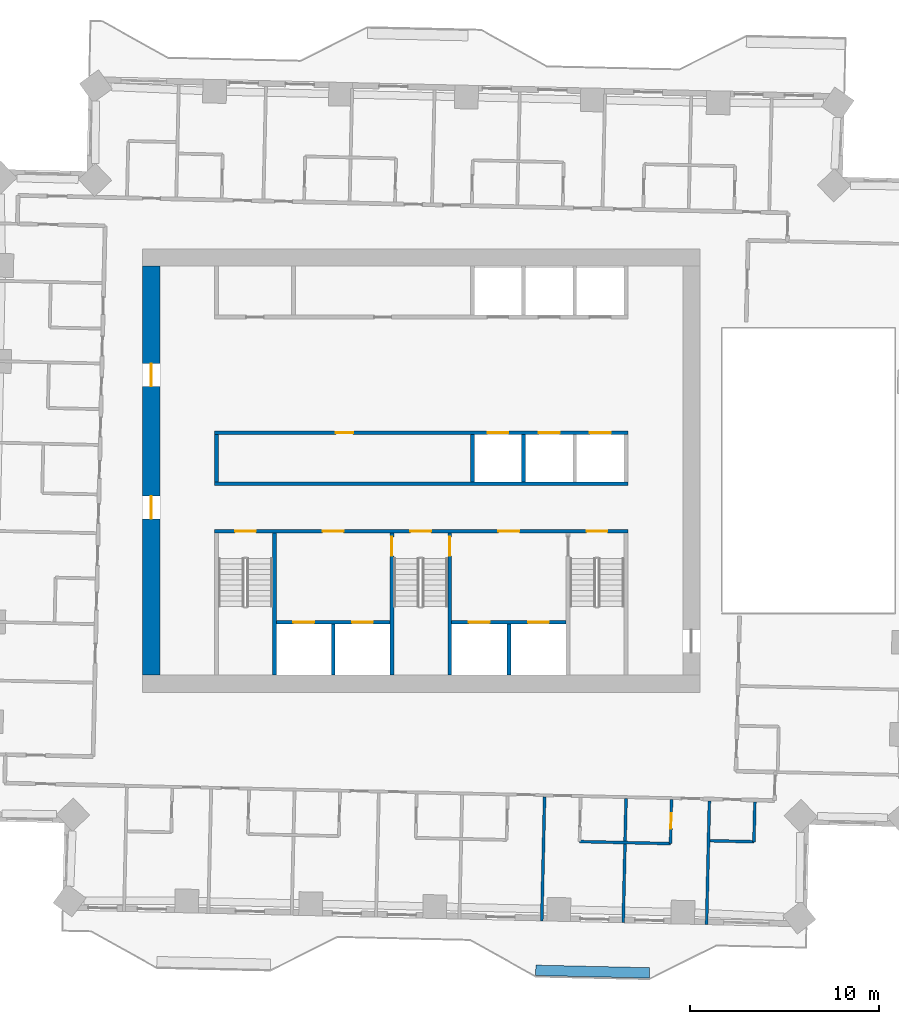
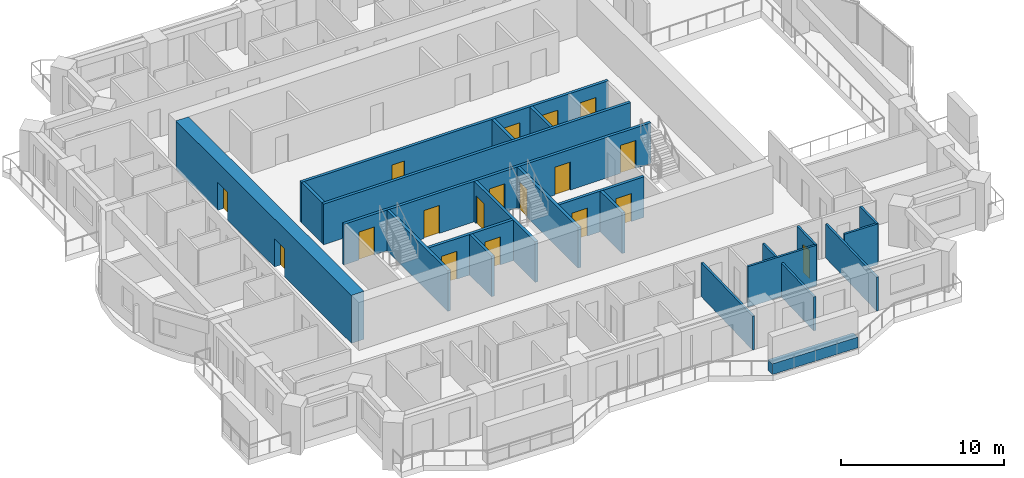
# One storey, part 6 of 14: 22 walls, 18 doors, 18 openings.
"""IFC4 building model written with IfcOpenShell, lengths in metres."""

import ifcopenshell
import ifcopenshell.guid

model = None  # the IFC model being written
_history = None  # IfcOwnerHistory: only IFC2X3 demands one
_inside = {}  # id of a spatial element -> (the spatial element, [elements in it])
_under = {}  # id of a project, library or spatial element -> (it, [spatial elements below it])
_declared = {}  # id of a project -> (the project, [libraries it declares])
_typed = {}  # id of a type object -> (the type object, [elements of that type])
_made_of = {}  # id of a material, layer set ... -> (it, [elements and type objects made of it])


def new_model(schema):
    """Start an empty IFC model of exactly this schema.

    Asked for "IFC4X3", IfcOpenShell would pick the latest addendum, in which some entities
    have other attributes; the version numbers below select the first issue.
    IFC2X3 requires an IfcOwnerHistory on every rooted entity: one is made here for all.
    """
    global model, _history
    if schema == "IFC4X3":
        model = ifcopenshell.file(schema_version=(4, 3, 0, 0))
    else:
        model = ifcopenshell.file(schema=schema)
    _inside.clear()
    _under.clear()
    _declared.clear()
    _typed.clear()
    _made_of.clear()
    _history = None
    if model.schema == "IFC2X3":
        org = make("IfcOrganization", Name="unknown")
        user = make(
            "IfcPersonAndOrganization",
            ThePerson=make("IfcPerson", FamilyName="unknown"),
            TheOrganization=org,
        )
        app = make(
            "IfcApplication",
            ApplicationDeveloper=org,
            Version="unknown",
            ApplicationFullName="unknown",
            ApplicationIdentifier="unknown",
        )
        _history = make(
            "IfcOwnerHistory",
            OwningUser=user,
            OwningApplication=app,
            ChangeAction="ADDED",
            CreationDate=0,
        )
    return model


def make(cls, **values):
    """One entity of the class cls with the attributes given. An attribute that is None is left unset."""
    return model.create_entity(
        cls, **{name: value for name, value in values.items() if value is not None}
    )


def rooted(cls, **values):
    """An entity with a GlobalId (a new one), such as an element, a storey or a relation."""
    return make(cls, GlobalId=ifcopenshell.guid.new(), OwnerHistory=_history, **values)


def si_unit(unit_type, name, prefix=None):
    """IfcSIUnit, for example si_unit("LENGTHUNIT", "METRE", prefix="MILLI")."""
    return make("IfcSIUnit", UnitType=unit_type, Prefix=prefix, Name=name)


def assignment(units):
    """IfcUnitAssignment: the units of a project."""
    return None if units is None else make("IfcUnitAssignment", Units=units)


def point(xyz):
    """IfcCartesianPoint."""
    return None if xyz is None else make("IfcCartesianPoint", Coordinates=xyz)


def direction(xyz):
    """IfcDirection."""
    return None if xyz is None else make("IfcDirection", DirectionRatios=xyz)


def frame(location, z_axis=None, x_axis=None):
    """IfcAxis2Placement3D, a coordinate frame: its origin and axes. An axis left out is left unset."""
    return make(
        "IfcAxis2Placement3D",
        Location=point(location),
        Axis=direction(z_axis),
        RefDirection=direction(x_axis),
    )


def frame_2d(location, x_axis=None):
    """IfcAxis2Placement2D, a coordinate frame in the plane: its origin and x axis."""
    return make(
        "IfcAxis2Placement2D", Location=point(location), RefDirection=direction(x_axis)
    )


def origin():
    """The frame at (0, 0, 0) with its axes left unset."""
    return frame((0.0, 0.0, 0.0))


def place(relative_to, where):
    """IfcLocalPlacement: puts the frame where relative to a parent placement (None: the world)."""
    return make(
        "IfcLocalPlacement", PlacementRelTo=relative_to, RelativePlacement=where
    )


def context(
    kind, dimensions, precision=None, world=None, true_north=None, identifier=None
):
    """IfcGeometricRepresentationContext, for example the 3D "Model" context."""
    return make(
        "IfcGeometricRepresentationContext",
        ContextIdentifier=identifier,
        ContextType=kind,
        CoordinateSpaceDimension=dimensions,
        Precision=precision,
        WorldCoordinateSystem=world,
        TrueNorth=true_north,
    )


def subcontext(parent, identifier, kind, view, scale=None):
    """IfcGeometricRepresentationSubContext, for example "Body" below "Model"."""
    return make(
        "IfcGeometricRepresentationSubContext",
        ContextIdentifier=identifier,
        ContextType=kind,
        ParentContext=parent,
        TargetScale=scale,
        TargetView=view,
    )


def project(units=None, contexts=None):
    """IfcProject with its units and contexts."""
    return rooted(
        "IfcProject",
        Name="project",
        RepresentationContexts=contexts,
        UnitsInContext=assignment(units),
    )


def spatial(cls, under=None, at=None, **own):
    """A site, building, storey or space (cls), placed at a placement, below another one or the project."""
    s = rooted(cls, ObjectPlacement=at, **own)
    if under is not None:
        _under.setdefault(under.id(), (under, []))[1].append(s)
    return s


def profile(cls, at=None, kind="AREA", **sizes):
    """A parametric profile (cls). Its sizes go by their IFC names, for example OverallWidth=200.0."""
    return make(cls, ProfileType=kind, Position=at, **sizes)


def rectangle(**sizes):
    """IfcRectangleProfileDef."""
    return profile("IfcRectangleProfileDef", **sizes)


def extrude(swept, where, along, depth):
    """IfcExtrudedAreaSolid: the profile swept, set in the frame where, extruded along a direction by depth."""
    return make(
        "IfcExtrudedAreaSolid",
        SweptArea=swept,
        Position=where,
        ExtrudedDirection=direction(along),
        Depth=depth,
    )


def shape(context_of_items, identifier, shape_type, items):
    """IfcShapeRepresentation: the items that make up one representation, for example the "Body"."""
    return make(
        "IfcShapeRepresentation",
        ContextOfItems=context_of_items,
        RepresentationIdentifier=identifier,
        RepresentationType=shape_type,
        Items=items,
    )


def material(Name=None, Category=None):
    """IfcMaterial."""
    return make("IfcMaterial", Name=Name, Category=Category)


def layer(
    of_material, thickness, ventilated=None, Name=None, Category=None, Priority=None
):
    """IfcMaterialLayer: one layer of a wall or slab, of a material (None: an air gap)."""
    return make(
        "IfcMaterialLayer",
        Material=of_material,
        LayerThickness=thickness,
        IsVentilated=ventilated,
        Name=Name,
        Category=Category,
        Priority=Priority,
    )


def layer_set(layers, Name=None):
    """IfcMaterialLayerSet."""
    return make("IfcMaterialLayerSet", MaterialLayers=layers, LayerSetName=Name)


def made_of(thing, what):
    """Note that an element or type object is made of a material, layer set ...; save() writes the relation."""
    if what is not None:
        _made_of.setdefault(what.id(), (what, []))[1].append(thing)
    return thing


def type_object(cls, material=None, **own):
    """A type object (cls), such as IfcWallType, which elements share."""
    return made_of(rooted(cls, **own), material)


def element(
    cls,
    number,
    at=None,
    inside=None,
    cuts=None,
    type_object=None,
    material=None,
    context=None,
    identifier="Body",
    shape_type=None,
    held_by="IfcProductDefinitionShape",
    body=None,
    shapes=None,
    **own,
):
    """One element of the class cls, such as IfcWall. Its Tag is "e" and its number.

    at: its placement. inside: the storey or other place that contains it. cuts: it is an
    opening in that element (IfcRelVoidsElement). A single representation is given by context,
    identifier, shape_type and body (its items); several are given by shapes. held_by: the class
    of the entity that holds the representations. save() writes the other relations.
    """
    e = rooted(cls, Tag="e%d" % number, ObjectPlacement=at, **own)
    if body is not None:
        shapes = [shape(context, identifier, shape_type, body)]
    if shapes is not None:
        e.Representation = make(held_by, Representations=shapes)
    if inside is not None:
        _inside.setdefault(inside.id(), (inside, []))[1].append(e)
    if cuts is not None:
        rooted(
            "IfcRelVoidsElement", RelatingBuildingElement=cuts, RelatedOpeningElement=e
        )
    if type_object is not None:
        _typed.setdefault(type_object.id(), (type_object, []))[1].append(e)
    return made_of(e, material)


def fill(opening, filler):
    """IfcRelFillsElement: the door or window that sits in an opening."""
    return rooted(
        "IfcRelFillsElement",
        RelatingOpeningElement=opening,
        RelatedBuildingElement=filler,
    )


def aggregate(whole, parts):
    """IfcRelAggregates: a whole, such as a stair, and the parts it consists of."""
    return rooted("IfcRelAggregates", RelatingObject=whole, RelatedObjects=parts)


def save(model, path):
    """Write the relations noted so far, then the file.

    IfcRelAggregates (storeys below a building ...), IfcRelContainedInSpatialStructure (elements
    in a storey), IfcRelDefinesByType, IfcRelAssociatesMaterial and IfcRelDeclares: one each for
    every whole, place, type object, material and project.
    """
    for whole, parts in _under.values():
        aggregate(whole, parts)
    for where, things in _inside.values():
        rooted(
            "IfcRelContainedInSpatialStructure",
            RelatedElements=things,
            RelatingStructure=where,
        )
    for kind, things in _typed.values():
        rooted("IfcRelDefinesByType", RelatedObjects=things, RelatingType=kind)
    for what, things in _made_of.values():
        rooted("IfcRelAssociatesMaterial", RelatedObjects=things, RelatingMaterial=what)
    for by, libraries in _declared.values():
        rooted("IfcRelDeclares", RelatingContext=by, RelatedDefinitions=libraries)
    model.write(path)


model = new_model("IFC4")

# Units and contexts
model_context = context("Model", 3, precision=1e-05, world=origin(), true_north=direction((0.0, 1.0)))
body_context = subcontext(model_context, "Body", "Model", "MODEL_VIEW")
ifc_project = project(units=[si_unit("LENGTHUNIT", "METRE"), si_unit("AREAUNIT", "SQUARE_METRE"), si_unit("VOLUMEUNIT", "CUBIC_METRE"), si_unit("PLANEANGLEUNIT", "RADIAN"), si_unit("MASSUNIT", "GRAM", prefix="KILO")], contexts=[model_context])

# Site, building, storey
site_placement = place(None, origin())
site = spatial("IfcSite", under=ifc_project, at=site_placement, CompositionType="ELEMENT")
building_placement = place(site_placement, origin())
building = spatial("IfcBuilding", under=site, at=building_placement, Name="Mangrove Gate Tower", CompositionType="ELEMENT")
storey_placement = place(building_placement, frame((0.0, 0.0, 163.5)))
storey = spatial("IfcBuildingStorey", under=building, at=storey_placement, Name="L41", CompositionType="ELEMENT", Elevation=163.5)

# Walls
ifc_material_1 = material(Name="Concrete C32/40", Category="concrete")
ifc_layer_1 = layer(ifc_material_1, 0.199951171875)
ifc_layer_set_1 = layer_set([ifc_layer_1], Name="Core room wall 200 C32/40")
wall_type_1 = type_object("IfcWallType", Name="Core room wall 200 C32/40", PredefinedType="STANDARD", material=ifc_layer_set_1)
wall_1_placement = place(storey_placement, frame((-10.800048828125, -0.60009765625, 0.0), z_axis=(0.0, 0.0, 1.0), x_axis=(0.0, 1.0, 0.0)))
element("IfcWall", 1, at=wall_1_placement, inside=storey, type_object=wall_type_1, Name="WALL-L41-CORE-19", PredefinedType="STANDARD", context=body_context, shape_type="SweptSolid", body=[
    extrude(rectangle(XDim=2.5, YDim=0.199951171875, at=frame_2d((1.25, 0.0))), origin(), (0.0, 0.0, 1.0), 3.050048828125),
])
ifc_material_2 = material(Name="Concrete C60/75", Category="concrete")
ifc_layer_2 = layer(ifc_material_2, 0.199951171875)
ifc_layer_set_2 = layer_set([ifc_layer_2], Name="Core shaft wall 200 C60/75")
wall_type_2 = type_object("IfcWallType", Name="Core shaft wall 200 C60/75", PredefinedType="SHEAR", material=ifc_layer_set_2)
wall_2_placement = place(storey_placement, frame((-10.89990234375, -0.699951171875, 0.0), z_axis=(0.0, 0.0, 1.0), x_axis=(1.0, 0.0, 0.0)))
element("IfcWall", 2, at=wall_2_placement, inside=storey, type_object=wall_type_2, Name="WALL-L41-CORE-6", PredefinedType="SHEAR", context=body_context, shape_type="SweptSolid", body=[
    extrude(rectangle(XDim=21.7998046875, YDim=0.199951171875, at=frame_2d((10.89990234375, 0.0))), origin(), (0.0, 0.0, 1.0), 3.050048828125),
])

# Wall, openings, doors
wall_3_placement = place(storey_placement, frame((-10.89990234375, 2.0, 0.0), z_axis=(0.0, 0.0, 1.0), x_axis=(1.0, 0.0, 0.0)))
wall_3 = element("IfcWall", 3, at=wall_3_placement, inside=storey, type_object=wall_type_2, Name="WALL-L41-CORE-7", PredefinedType="SHEAR", context=body_context, shape_type="SweptSolid", body=[
    extrude(rectangle(XDim=21.7998046875, YDim=0.199951171875, at=frame_2d((10.89990234375, 0.0))), origin(), (0.0, 0.0, 1.0), 3.050048828125),
])
opening_1_placement = place(wall_3_placement, frame((14.39990234375, 0.0, 0.0)))
opening_1 = element("IfcOpeningElement", 4, at=opening_1_placement, cuts=wall_3, Name="Opening LD", PredefinedType="OPENING", context=body_context, shape_type="SweptSolid", body=[
    extrude(rectangle(XDim=1.10009765625, YDim=2.10009765625, at=frame_2d((0.550048828125, 1.050048828125))), frame((0.0, 0.10986328125, 0.0), z_axis=(0.0, -1.0, 0.0), x_axis=(1.0, 0.0, 0.0)), (0.0, 0.0, 1.0), 0.219970703125),
])
opening_2_placement = place(wall_3_placement, frame((17.10009765625, 0.0, 0.0)))
opening_2 = element("IfcOpeningElement", 5, at=opening_2_placement, cuts=wall_3, Name="Opening LD", PredefinedType="OPENING", context=body_context, shape_type="SweptSolid", body=[
    extrude(rectangle(XDim=1.10009765625, YDim=2.10009765625, at=frame_2d((0.550048828125, 1.050048828125))), frame((0.0, 0.10986328125, 0.0), z_axis=(0.0, -1.0, 0.0), x_axis=(1.0, 0.0, 0.0)), (0.0, 0.0, 1.0), 0.219970703125),
])
opening_3_placement = place(wall_3_placement, frame((19.800048828125, 0.0, 0.0)))
opening_3 = element("IfcOpeningElement", 6, at=opening_3_placement, cuts=wall_3, Name="Opening LD", PredefinedType="OPENING", context=body_context, shape_type="SweptSolid", body=[
    extrude(rectangle(XDim=1.10009765625, YDim=2.10009765625, at=frame_2d((0.550048828125, 1.050048828125))), frame((0.0, 0.10986328125, 0.0), z_axis=(0.0, -1.0, 0.0), x_axis=(1.0, 0.0, 0.0)), (0.0, 0.0, 1.0), 0.219970703125),
])
opening_4_placement = place(wall_3_placement, frame((6.39990234375, 0.0, 0.0)))
opening_4 = element("IfcOpeningElement", 7, at=opening_4_placement, cuts=wall_3, Name="Opening RD", PredefinedType="OPENING", context=body_context, shape_type="SweptSolid", body=[
    extrude(rectangle(XDim=0.89990234375, YDim=2.10009765625, at=frame_2d((0.449951171875, 1.050048828125))), frame((0.0, 0.10986328125, 0.0), z_axis=(0.0, -1.0, 0.0), x_axis=(1.0, 0.0, 0.0)), (0.0, 0.0, 1.0), 0.219970703125),
])
ifc_material_3 = material(Name="Stainless steel 316", Category="steel")
door_type_1 = type_object("IfcDoorType", Name="Lift landing door 1100x2100", OperationType="SLIDING_TO_LEFT", PredefinedType="DOOR", material=ifc_material_3)
door_1_placement = place(opening_1_placement, origin())
door_1 = element("IfcDoor", 8, at=door_1_placement, inside=storey, type_object=door_type_1, Name="Landing door LD M01", OperationType="SLIDING_TO_LEFT", OverallHeight=2.10009765625, OverallWidth=1.10009765625, PredefinedType="DOOR", context=body_context, shape_type="SweptSolid", body=[
    extrude(rectangle(XDim=1.10009765625, YDim=2.10009765625, at=frame_2d((0.550048828125, 1.050048828125))), frame((0.0, 0.02490234375, 0.0), z_axis=(0.0, -1.0, 0.0), x_axis=(1.0, 0.0, 0.0)), (0.0, 0.0, 1.0), 0.050048828125),
])
fill(opening_1, door_1)
door_2_placement = place(opening_2_placement, origin())
door_2 = element("IfcDoor", 9, at=door_2_placement, inside=storey, type_object=door_type_1, Name="Landing door LD M02", OperationType="SLIDING_TO_LEFT", OverallHeight=2.10009765625, OverallWidth=1.10009765625, PredefinedType="DOOR", context=body_context, shape_type="SweptSolid", body=[
    extrude(rectangle(XDim=1.10009765625, YDim=2.10009765625, at=frame_2d((0.550048828125, 1.050048828125))), frame((0.0, 0.02490234375, 0.0), z_axis=(0.0, -1.0, 0.0), x_axis=(1.0, 0.0, 0.0)), (0.0, 0.0, 1.0), 0.050048828125),
])
fill(opening_2, door_2)
door_3_placement = place(opening_3_placement, origin())
door_3 = element("IfcDoor", 10, at=door_3_placement, inside=storey, type_object=door_type_1, Name="Landing door LD M03", OperationType="SLIDING_TO_LEFT", OverallHeight=2.10009765625, OverallWidth=1.10009765625, PredefinedType="DOOR", context=body_context, shape_type="SweptSolid", body=[
    extrude(rectangle(XDim=1.10009765625, YDim=2.10009765625, at=frame_2d((0.550048828125, 1.050048828125))), frame((0.0, 0.02490234375, 0.0), z_axis=(0.0, -1.0, 0.0), x_axis=(1.0, 0.0, 0.0)), (0.0, 0.0, 1.0), 0.050048828125),
])
fill(opening_3, door_3)
ifc_material_4 = material(Name="Fire-rated steel door set", Category="steel")
door_type_2 = type_object("IfcDoorType", Name="Riser door FD30S 900x2100", OperationType="SINGLE_SWING_LEFT", PredefinedType="DOOR", material=ifc_material_4)
door_4_placement = place(opening_4_placement, origin())
door_4 = element("IfcDoor", 11, at=door_4_placement, inside=storey, type_object=door_type_2, Name="Riser door Electrical room", OperationType="SINGLE_SWING_LEFT", OverallHeight=2.10009765625, OverallWidth=0.89990234375, PredefinedType="DOOR", context=body_context, shape_type="SweptSolid", body=[
    extrude(rectangle(XDim=0.89990234375, YDim=2.10009765625, at=frame_2d((0.449951171875, 1.050048828125))), frame((0.0, 0.02490234375, 0.0), z_axis=(0.0, -1.0, 0.0), x_axis=(1.0, 0.0, 0.0)), (0.0, 0.0, 1.0), 0.050048828125),
])
fill(opening_4, door_4)

wall_4_placement = place(storey_placement, frame((-7.64990234375, -8.0, 0.0), z_axis=(0.0, 0.0, 1.0), x_axis=(1.0, 0.0, 0.0)))
wall_4 = element("IfcWall", 12, at=wall_4_placement, inside=storey, type_object=wall_type_2, Name="WALL-L41-CORE-15", PredefinedType="SHEAR", context=body_context, shape_type="SweptSolid", body=[
    extrude(rectangle(XDim=6.0, YDim=0.199951171875, at=frame_2d((3.0, 0.0))), origin(), (0.0, 0.0, 1.0), 3.050048828125),
])
opening_5_placement = place(wall_4_placement, frame((0.89990234375, 0.0, 0.0)))
opening_5 = element("IfcOpeningElement", 13, at=opening_5_placement, cuts=wall_4, Name="Opening LD", PredefinedType="OPENING", context=body_context, shape_type="SweptSolid", body=[
    extrude(rectangle(XDim=1.10009765625, YDim=2.10009765625, at=frame_2d((0.550048828125, 1.050048828125))), frame((0.0, 0.10986328125, 0.0), z_axis=(0.0, -1.0, 0.0), x_axis=(1.0, 0.0, 0.0)), (0.0, 0.0, 1.0), 0.219970703125),
])
opening_6_placement = place(wall_4_placement, frame((4.0, 0.0, 0.0)))
opening_6 = element("IfcOpeningElement", 14, at=opening_6_placement, cuts=wall_4, Name="Opening LD", PredefinedType="OPENING", context=body_context, shape_type="SweptSolid", body=[
    extrude(rectangle(XDim=1.10009765625, YDim=2.10009765625, at=frame_2d((0.550048828125, 1.050048828125))), frame((0.0, 0.10986328125, 0.0), z_axis=(0.0, -1.0, 0.0), x_axis=(1.0, 0.0, 0.0)), (0.0, 0.0, 1.0), 0.219970703125),
])
door_5_placement = place(opening_5_placement, origin())
door_5 = element("IfcDoor", 15, at=door_5_placement, inside=storey, type_object=door_type_1, Name="Landing door LD SVL1", OperationType="SLIDING_TO_LEFT", OverallHeight=2.10009765625, OverallWidth=1.10009765625, PredefinedType="DOOR", context=body_context, shape_type="SweptSolid", body=[
    extrude(rectangle(XDim=1.10009765625, YDim=2.10009765625, at=frame_2d((0.550048828125, 1.050048828125))), frame((0.0, 0.02490234375, 0.0), z_axis=(0.0, -1.0, 0.0), x_axis=(1.0, 0.0, 0.0)), (0.0, 0.0, 1.0), 0.050048828125),
])
fill(opening_5, door_5)
door_6_placement = place(opening_6_placement, origin())
door_6 = element("IfcDoor", 16, at=door_6_placement, inside=storey, type_object=door_type_1, Name="Landing door LD SVL2", OperationType="SLIDING_TO_LEFT", OverallHeight=2.10009765625, OverallWidth=1.10009765625, PredefinedType="DOOR", context=body_context, shape_type="SweptSolid", body=[
    extrude(rectangle(XDim=1.10009765625, YDim=2.10009765625, at=frame_2d((0.550048828125, 1.050048828125))), frame((0.0, 0.02490234375, 0.0), z_axis=(0.0, -1.0, 0.0), x_axis=(1.0, 0.0, 0.0)), (0.0, 0.0, 1.0), 0.050048828125),
])
fill(opening_6, door_6)

# Wall
wall_5_placement = place(storey_placement, frame((-4.64990234375, -10.800048828125, 0.0), z_axis=(0.0, 0.0, 1.0), x_axis=(0.0, 1.0, 0.0)))
element("IfcWall", 17, at=wall_5_placement, inside=storey, type_object=wall_type_2, Name="WALL-L41-CORE-16", PredefinedType="SHEAR", context=body_context, shape_type="SweptSolid", body=[
    extrude(rectangle(XDim=2.699951171875, YDim=0.199951171875, at=frame_2d((1.35009765625, 0.0))), origin(), (0.0, 0.0, 1.0), 3.050048828125),
])

# Wall, openings, doors
wall_6_placement = place(storey_placement, frame((1.60009765625, -8.0, 0.0), z_axis=(0.0, 0.0, 1.0), x_axis=(1.0, 0.0, 0.0)))
wall_6 = element("IfcWall", 18, at=wall_6_placement, inside=storey, type_object=wall_type_2, Name="WALL-L41-CORE-17", PredefinedType="SHEAR", context=body_context, shape_type="SweptSolid", body=[
    extrude(rectangle(XDim=6.0498046875, YDim=0.199951171875, at=frame_2d((3.02490234375, 0.0))), origin(), (0.0, 0.0, 1.0), 3.050048828125),
])
opening_7_placement = place(wall_6_placement, frame((0.91259765625, 0.0, 0.0)))
opening_7 = element("IfcOpeningElement", 19, at=opening_7_placement, cuts=wall_6, Name="Opening LD", PredefinedType="OPENING", context=body_context, shape_type="SweptSolid", body=[
    extrude(rectangle(XDim=1.10009765625, YDim=2.10009765625, at=frame_2d((0.550048828125, 1.050048828125))), frame((0.0, 0.10986328125, 0.0), z_axis=(0.0, -1.0, 0.0), x_axis=(1.0, 0.0, 0.0)), (0.0, 0.0, 1.0), 0.219970703125),
])
opening_8_placement = place(wall_6_placement, frame((4.03759765625, 0.0, 0.0)))
opening_8 = element("IfcOpeningElement", 20, at=opening_8_placement, cuts=wall_6, Name="Opening LD", PredefinedType="OPENING", context=body_context, shape_type="SweptSolid", body=[
    extrude(rectangle(XDim=1.10009765625, YDim=2.10009765625, at=frame_2d((0.550048828125, 1.050048828125))), frame((0.0, 0.10986328125, 0.0), z_axis=(0.0, -1.0, 0.0), x_axis=(1.0, 0.0, 0.0)), (0.0, 0.0, 1.0), 0.219970703125),
])
door_7_placement = place(opening_7_placement, origin())
door_7 = element("IfcDoor", 21, at=door_7_placement, inside=storey, type_object=door_type_1, Name="Landing door LD FFL1", OperationType="SLIDING_TO_LEFT", OverallHeight=2.10009765625, OverallWidth=1.10009765625, PredefinedType="DOOR", context=body_context, shape_type="SweptSolid", body=[
    extrude(rectangle(XDim=1.10009765625, YDim=2.10009765625, at=frame_2d((0.550048828125, 1.050048828125))), frame((0.0, 0.02490234375, 0.0), z_axis=(0.0, -1.0, 0.0), x_axis=(1.0, 0.0, 0.0)), (0.0, 0.0, 1.0), 0.050048828125),
])
fill(opening_7, door_7)
door_8_placement = place(opening_8_placement, origin())
door_8 = element("IfcDoor", 22, at=door_8_placement, inside=storey, type_object=door_type_1, Name="Landing door LD FFL2", OperationType="SLIDING_TO_LEFT", OverallHeight=2.10009765625, OverallWidth=1.10009765625, PredefinedType="DOOR", context=body_context, shape_type="SweptSolid", body=[
    extrude(rectangle(XDim=1.10009765625, YDim=2.10009765625, at=frame_2d((0.550048828125, 1.050048828125))), frame((0.0, 0.02490234375, 0.0), z_axis=(0.0, -1.0, 0.0), x_axis=(1.0, 0.0, 0.0)), (0.0, 0.0, 1.0), 0.050048828125),
])
fill(opening_8, door_8)

# Walls
wall_7_placement = place(storey_placement, frame((4.625, -10.800048828125, 0.0), z_axis=(0.0, 0.0, 1.0), x_axis=(0.0, 1.0, 0.0)))
element("IfcWall", 23, at=wall_7_placement, inside=storey, type_object=wall_type_2, Name="WALL-L41-CORE-18", PredefinedType="SHEAR", context=body_context, shape_type="SweptSolid", body=[
    extrude(rectangle(XDim=2.699951171875, YDim=0.199951171875, at=frame_2d((1.35009765625, 0.0))), origin(), (0.0, 0.0, 1.0), 3.050048828125),
])
for number, where, z_axis, x_axis, name in (
    (24, (2.699951171875, -0.60009765625, 0.0), (0.0, 0.0, 1.0), (0.0, 1.0, 0.0), "WALL-L41-CORE-20"),
    (25, (5.39990234375, -0.60009765625, 0.0), (0.0, 0.0, 1.0), (0.0, 1.0, 0.0), "WALL-L41-CORE-21"),
):
    element("IfcWall", number, at=place(storey_placement, frame(where, z_axis=z_axis, x_axis=x_axis)), inside=storey, type_object=wall_type_2, Name=name, PredefinedType="SHEAR", context=body_context, shape_type="SweptSolid", body=[
        extrude(rectangle(XDim=2.5, YDim=0.199951171875, at=frame_2d((1.25, 0.0))), origin(), (0.0, 0.0, 1.0), 3.050048828125),
    ])

# Wall, openings, doors
ifc_material_5 = material(Name="Concrete C60/75", Category="concrete")
ifc_layer_3 = layer(ifc_material_5, 0.199951171875)
ifc_layer_set_3 = layer_set([ifc_layer_3], Name="Core stair wall 200 C60/75")
wall_type_3 = type_object("IfcWallType", Name="Core stair wall 200 C60/75", PredefinedType="SHEAR", material=ifc_layer_set_3)
wall_8_placement = place(storey_placement, frame((-10.89990234375, -3.199951171875, 0.0), z_axis=(0.0, 0.0, 1.0), x_axis=(1.0, 0.0, 0.0)))
wall_8 = element("IfcWall", 26, at=wall_8_placement, inside=storey, type_object=wall_type_3, Name="WALL-L41-CORE-5", PredefinedType="SHEAR", context=body_context, shape_type="SweptSolid", body=[
    extrude(rectangle(XDim=21.7998046875, YDim=0.199951171875, at=frame_2d((10.89990234375, 0.0))), origin(), (0.0, 0.0, 1.0), 3.050048828125),
])
opening_9_placement = place(wall_8_placement, frame((1.074951171875, 0.0, 0.0)))
opening_9 = element("IfcOpeningElement", 27, at=opening_9_placement, cuts=wall_8, Name="Opening STD11", PredefinedType="OPENING", context=body_context, shape_type="SweptSolid", body=[
    extrude(rectangle(XDim=1.10009765625, YDim=2.10009765625, at=frame_2d((0.550048828125, 1.050048828125))), frame((0.0, 0.10986328125, 0.0), z_axis=(0.0, -1.0, 0.0), x_axis=(1.0, 0.0, 0.0)), (0.0, 0.0, 1.0), 0.219970703125),
])
opening_10_placement = place(wall_8_placement, frame((10.324951171875, 0.0, 0.0)))
opening_10 = element("IfcOpeningElement", 28, at=opening_10_placement, cuts=wall_8, Name="Opening STD11", PredefinedType="OPENING", context=body_context, shape_type="SweptSolid", body=[
    extrude(rectangle(XDim=1.10009765625, YDim=2.10009765625, at=frame_2d((0.550048828125, 1.050048828125))), frame((0.0, 0.10986328125, 0.0), z_axis=(0.0, -1.0, 0.0), x_axis=(1.0, 0.0, 0.0)), (0.0, 0.0, 1.0), 0.219970703125),
])
opening_11_placement = place(wall_8_placement, frame((19.625, 0.0, 0.0)))
opening_11 = element("IfcOpeningElement", 29, at=opening_11_placement, cuts=wall_8, Name="Opening STD11", PredefinedType="OPENING", context=body_context, shape_type="SweptSolid", body=[
    extrude(rectangle(XDim=1.10009765625, YDim=2.10009765625, at=frame_2d((0.550048828125, 1.050048828125))), frame((0.0, 0.10986328125, 0.0), z_axis=(0.0, -1.0, 0.0), x_axis=(1.0, 0.0, 0.0)), (0.0, 0.0, 1.0), 0.219970703125),
])
opening_12_placement = place(wall_8_placement, frame((5.699951171875, 0.0, 0.0)))
opening_12 = element("IfcOpeningElement", 30, at=opening_12_placement, cuts=wall_8, Name="Opening FL", PredefinedType="OPENING", context=body_context, shape_type="SweptSolid", body=[
    extrude(rectangle(XDim=1.10009765625, YDim=2.10009765625, at=frame_2d((0.550048828125, 1.050048828125))), frame((0.0, 0.10986328125, 0.0), z_axis=(0.0, -1.0, 0.0), x_axis=(1.0, 0.0, 0.0)), (0.0, 0.0, 1.0), 0.219970703125),
])
opening_13_placement = place(wall_8_placement, frame((14.97509765625, 0.0, 0.0)))
opening_13 = element("IfcOpeningElement", 31, at=opening_13_placement, cuts=wall_8, Name="Opening FL", PredefinedType="OPENING", context=body_context, shape_type="SweptSolid", body=[
    extrude(rectangle(XDim=1.10009765625, YDim=2.10009765625, at=frame_2d((0.550048828125, 1.050048828125))), frame((0.0, 0.10986328125, 0.0), z_axis=(0.0, -1.0, 0.0), x_axis=(1.0, 0.0, 0.0)), (0.0, 0.0, 1.0), 0.219970703125),
])
ifc_material_6 = material(Name="Fire-rated steel door set", Category="steel")
door_type_3 = type_object("IfcDoorType", Name="Lobby door FD60 1100x2100", OperationType="SINGLE_SWING_LEFT", PredefinedType="DOOR", material=ifc_material_6)
door_9_placement = place(opening_12_placement, origin())
door_9 = element("IfcDoor", 32, at=door_9_placement, inside=storey, type_object=door_type_3, Name="Lobby door service lobby", OperationType="SINGLE_SWING_LEFT", OverallHeight=2.10009765625, OverallWidth=1.10009765625, PredefinedType="DOOR", context=body_context, shape_type="SweptSolid", body=[
    extrude(rectangle(XDim=1.10009765625, YDim=2.10009765625, at=frame_2d((0.550048828125, 1.050048828125))), frame((0.0, 0.02490234375, 0.0), z_axis=(0.0, -1.0, 0.0), x_axis=(1.0, 0.0, 0.0)), (0.0, 0.0, 1.0), 0.050048828125),
])
fill(opening_12, door_9)
door_10_placement = place(opening_13_placement, origin())
door_10 = element("IfcDoor", 33, at=door_10_placement, inside=storey, type_object=door_type_3, Name="Lobby door fire-fighting lobby", OperationType="SINGLE_SWING_LEFT", OverallHeight=2.10009765625, OverallWidth=1.10009765625, PredefinedType="DOOR", context=body_context, shape_type="SweptSolid", body=[
    extrude(rectangle(XDim=1.10009765625, YDim=2.10009765625, at=frame_2d((0.550048828125, 1.050048828125))), frame((0.0, 0.02490234375, 0.0), z_axis=(0.0, -1.0, 0.0), x_axis=(1.0, 0.0, 0.0)), (0.0, 0.0, 1.0), 0.050048828125),
])
fill(opening_13, door_10)
ifc_material_7 = material(Name="Fire-rated steel door set", Category="steel")
door_type_4 = type_object("IfcDoorType", Name="Stair door FD60 1100x2100", OperationType="SINGLE_SWING_RIGHT", PredefinedType="DOOR", material=ifc_material_7)
door_11_placement = place(opening_9_placement, origin())
door_11 = element("IfcDoor", 34, at=door_11_placement, inside=storey, type_object=door_type_4, Name="Stair door Stair 1", OperationType="SINGLE_SWING_RIGHT", OverallHeight=2.10009765625, OverallWidth=1.10009765625, PredefinedType="DOOR", context=body_context, shape_type="SweptSolid", body=[
    extrude(rectangle(XDim=1.10009765625, YDim=2.10009765625, at=frame_2d((0.550048828125, 1.050048828125))), frame((0.0, 0.02490234375, 0.0), z_axis=(0.0, -1.0, 0.0), x_axis=(1.0, 0.0, 0.0)), (0.0, 0.0, 1.0), 0.050048828125),
])
fill(opening_9, door_11)
door_12_placement = place(opening_10_placement, origin())
door_12 = element("IfcDoor", 35, at=door_12_placement, inside=storey, type_object=door_type_4, Name="Stair door Stair 2", OperationType="SINGLE_SWING_RIGHT", OverallHeight=2.10009765625, OverallWidth=1.10009765625, PredefinedType="DOOR", context=body_context, shape_type="SweptSolid", body=[
    extrude(rectangle(XDim=1.10009765625, YDim=2.10009765625, at=frame_2d((0.550048828125, 1.050048828125))), frame((0.0, 0.02490234375, 0.0), z_axis=(0.0, -1.0, 0.0), x_axis=(1.0, 0.0, 0.0)), (0.0, 0.0, 1.0), 0.050048828125),
])
fill(opening_10, door_12)
door_13_placement = place(opening_11_placement, origin())
door_13 = element("IfcDoor", 36, at=door_13_placement, inside=storey, type_object=door_type_4, Name="Stair door Stair 3", OperationType="SINGLE_SWING_RIGHT", OverallHeight=2.10009765625, OverallWidth=1.10009765625, PredefinedType="DOOR", context=body_context, shape_type="SweptSolid", body=[
    extrude(rectangle(XDim=1.10009765625, YDim=2.10009765625, at=frame_2d((0.550048828125, 1.050048828125))), frame((0.0, 0.02490234375, 0.0), z_axis=(0.0, -1.0, 0.0), x_axis=(1.0, 0.0, 0.0)), (0.0, 0.0, 1.0), 0.050048828125),
])
fill(opening_11, door_13)

# Wall
wall_9_placement = place(storey_placement, frame((-7.75, -10.800048828125, 0.0), z_axis=(0.0, 0.0, 1.0), x_axis=(0.0, 1.0, 0.0)))
element("IfcWall", 37, at=wall_9_placement, inside=storey, type_object=wall_type_3, Name="WALL-L41-CORE-10", PredefinedType="SHEAR", context=body_context, shape_type="SweptSolid", body=[
    extrude(rectangle(XDim=7.5, YDim=0.199951171875, at=frame_2d((3.75, 0.0))), origin(), (0.0, 0.0, 1.0), 3.050048828125),
])

# Wall, opening, door
wall_10_placement = place(storey_placement, frame((-1.550048828125, -10.800048828125, 0.0), z_axis=(0.0, 0.0, 1.0), x_axis=(0.0, 1.0, 0.0)))
wall_10 = element("IfcWall", 38, at=wall_10_placement, inside=storey, type_object=wall_type_3, Name="WALL-L41-CORE-11", PredefinedType="SHEAR", context=body_context, shape_type="SweptSolid", body=[
    extrude(rectangle(XDim=7.5, YDim=0.199951171875, at=frame_2d((3.75, 0.0))), origin(), (0.0, 0.0, 1.0), 3.050048828125),
])
opening_14_placement = place(wall_10_placement, frame((6.300048828125, 0.0, 0.0)))
opening_14 = element("IfcOpeningElement", 39, at=opening_14_placement, cuts=wall_10, Name="Opening STD10", PredefinedType="OPENING", context=body_context, shape_type="SweptSolid", body=[
    extrude(rectangle(XDim=1.0, YDim=2.10009765625, at=frame_2d((0.5, 1.050048828125))), frame((0.0, 0.10986328125, 0.0), z_axis=(0.0, -1.0, 0.0), x_axis=(1.0, 0.0, 0.0)), (0.0, 0.0, 1.0), 0.219970703125),
])
ifc_material_8 = material(Name="Fire-rated steel door set", Category="steel")
door_type_5 = type_object("IfcDoorType", Name="Stair door FD60 1000x2100", OperationType="SINGLE_SWING_RIGHT", PredefinedType="DOOR", material=ifc_material_8)
door_14_placement = place(opening_14_placement, origin())
door_14 = element("IfcDoor", 40, at=door_14_placement, inside=storey, type_object=door_type_5, Name="Stair door Stair 2 from service lobby", OperationType="SINGLE_SWING_RIGHT", OverallHeight=2.10009765625, OverallWidth=1.0, PredefinedType="DOOR", context=body_context, shape_type="SweptSolid", body=[
    extrude(rectangle(XDim=1.0, YDim=2.10009765625, at=frame_2d((0.5, 1.050048828125))), frame((0.0, 0.02490234375, 0.0), z_axis=(0.0, -1.0, 0.0), x_axis=(1.0, 0.0, 0.0)), (0.0, 0.0, 1.0), 0.050048828125),
])
fill(opening_14, door_14)

wall_11_placement = place(storey_placement, frame((1.5, -10.800048828125, 0.0), z_axis=(0.0, 0.0, 1.0), x_axis=(0.0, 1.0, 0.0)))
wall_11 = element("IfcWall", 41, at=wall_11_placement, inside=storey, type_object=wall_type_3, Name="WALL-L41-CORE-12", PredefinedType="SHEAR", context=body_context, shape_type="SweptSolid", body=[
    extrude(rectangle(XDim=7.5, YDim=0.199951171875, at=frame_2d((3.75, 0.0))), origin(), (0.0, 0.0, 1.0), 3.050048828125),
])
opening_15_placement = place(wall_11_placement, frame((6.300048828125, 0.0, 0.0)))
opening_15 = element("IfcOpeningElement", 42, at=opening_15_placement, cuts=wall_11, Name="Opening STD10", PredefinedType="OPENING", context=body_context, shape_type="SweptSolid", body=[
    extrude(rectangle(XDim=1.0, YDim=2.10009765625, at=frame_2d((0.5, 1.050048828125))), frame((0.0, 0.10986328125, 0.0), z_axis=(0.0, -1.0, 0.0), x_axis=(1.0, 0.0, 0.0)), (0.0, 0.0, 1.0), 0.219970703125),
])
door_15_placement = place(opening_15_placement, origin())
door_15 = element("IfcDoor", 43, at=door_15_placement, inside=storey, type_object=door_type_5, Name="Stair door Stair 2 from fire-fighting lobby", OperationType="SINGLE_SWING_RIGHT", OverallHeight=2.10009765625, OverallWidth=1.0, PredefinedType="DOOR", context=body_context, shape_type="SweptSolid", body=[
    extrude(rectangle(XDim=1.0, YDim=2.10009765625, at=frame_2d((0.5, 1.050048828125))), frame((0.0, 0.02490234375, 0.0), z_axis=(0.0, -1.0, 0.0), x_axis=(1.0, 0.0, 0.0)), (0.0, 0.0, 1.0), 0.050048828125),
])
fill(opening_15, door_15)

# Wall, openings, doors
ifc_material_9 = material(Name="Concrete C60/75", Category="concrete")
ifc_layer_4 = layer(ifc_material_9, 0.89990234375)
ifc_layer_set_4 = layer_set([ifc_layer_4], Name="Core wall 900 C60/75")
wall_type_4 = type_object("IfcWallType", Name="Core wall 900 C60/75", PredefinedType="SHEAR", material=ifc_layer_set_4)
wall_12_placement = place(storey_placement, frame((-14.25, -10.800048828125, 0.0), z_axis=(0.0, 0.0, 1.0), x_axis=(0.0, 1.0, 0.0)))
wall_12 = element("IfcWall", 44, at=wall_12_placement, inside=storey, type_object=wall_type_4, Name="WALL-L41-CORE-3", PredefinedType="SHEAR", context=body_context, shape_type="SweptSolid", body=[
    extrude(rectangle(XDim=21.60009765625, YDim=0.89990234375, at=frame_2d((10.800048828125, 0.0))), origin(), (0.0, 0.0, 1.0), 3.60009765625),
])
opening_16_placement = place(wall_12_placement, frame((8.25, 0.0, 0.0)))
opening_16 = element("IfcOpeningElement", 45, at=opening_16_placement, cuts=wall_12, Name="Opening CD", PredefinedType="OPENING", context=body_context, shape_type="SweptSolid", body=[
    extrude(rectangle(XDim=1.199951171875, YDim=2.10009765625, at=frame_2d((0.60009765625, 1.050048828125))), frame((0.0, 0.4599609375, 0.0), z_axis=(0.0, -1.0, 0.0), x_axis=(1.0, 0.0, 0.0)), (0.0, 0.0, 1.0), 0.919921875),
])
opening_17_placement = place(wall_12_placement, frame((15.25, 0.0, 0.0)))
opening_17 = element("IfcOpeningElement", 46, at=opening_17_placement, cuts=wall_12, Name="Opening CD", PredefinedType="OPENING", context=body_context, shape_type="SweptSolid", body=[
    extrude(rectangle(XDim=1.199951171875, YDim=2.10009765625, at=frame_2d((0.60009765625, 1.050048828125))), frame((0.0, 0.4599609375, 0.0), z_axis=(0.0, -1.0, 0.0), x_axis=(1.0, 0.0, 0.0)), (0.0, 0.0, 1.0), 0.919921875),
])
ifc_material_10 = material(Name="Fire-rated steel door set", Category="steel")
door_type_6 = type_object("IfcDoorType", Name="Core ring door FD60 1200x2100", OperationType="DOUBLE_DOOR_SINGLE_SWING", PredefinedType="DOOR", material=ifc_material_10)
door_16_placement = place(opening_16_placement, origin())
door_16 = element("IfcDoor", 47, at=door_16_placement, inside=storey, type_object=door_type_6, Name="Core ring door W1", OperationType="DOUBLE_DOOR_SINGLE_SWING", OverallHeight=2.10009765625, OverallWidth=1.199951171875, PredefinedType="DOOR", context=body_context, shape_type="SweptSolid", body=[
    extrude(rectangle(XDim=1.199951171875, YDim=2.10009765625, at=frame_2d((0.60009765625, 1.050048828125))), frame((0.0, 0.02490234375, 0.0), z_axis=(0.0, -1.0, 0.0), x_axis=(1.0, 0.0, 0.0)), (0.0, 0.0, 1.0), 0.050048828125),
])
fill(opening_16, door_16)
door_17_placement = place(opening_17_placement, origin())
door_17 = element("IfcDoor", 48, at=door_17_placement, inside=storey, type_object=door_type_6, Name="Core ring door W2", OperationType="DOUBLE_DOOR_SINGLE_SWING", OverallHeight=2.10009765625, OverallWidth=1.199951171875, PredefinedType="DOOR", context=body_context, shape_type="SweptSolid", body=[
    extrude(rectangle(XDim=1.199951171875, YDim=2.10009765625, at=frame_2d((0.60009765625, 1.050048828125))), frame((0.0, 0.02490234375, 0.0), z_axis=(0.0, -1.0, 0.0), x_axis=(1.0, 0.0, 0.0)), (0.0, 0.0, 1.0), 0.050048828125),
])
fill(opening_17, door_17)

# Walls
ifc_material_11 = material(Name="Gypsum board on steel stud, EI 60", Category="steel")
ifc_layer_5 = layer(ifc_material_11, 0.14990234375)
ifc_layer_set_5 = layer_set([ifc_layer_5], Name="Party wall 150 EI 60")
wall_type_5 = type_object("IfcWallType", Name="Party wall 150 EI 60", PredefinedType="PARTITIONING", material=ifc_layer_set_5)
wall_13_placement = place(storey_placement, frame((6.360107421875, -23.763916015625, 0.0), z_axis=(0.0, 0.0, 1.0), x_axis=(0.022582580084, 0.999744981021, 0.0)))
element("IfcWall", 49, at=wall_13_placement, inside=storey, type_object=wall_type_5, Name="WALL-L41-006", PredefinedType="PARTITIONING", context=body_context, shape_type="SweptSolid", body=[
    extrude(rectangle(XDim=6.551513671875, YDim=0.14990234375, at=frame_2d((3.27587890625, 0.0))), origin(), (0.0, 0.0, 1.0), 2.550048828125),
])
wall_14_placement = place(storey_placement, frame((10.657958984375, -23.861083984375, 0.0), z_axis=(0.0, 0.0, 1.0), x_axis=(0.022734104141, 0.999741546855, 0.0)))
element("IfcWall", 50, at=wall_14_placement, inside=storey, type_object=wall_type_5, Name="WALL-L41-007", PredefinedType="PARTITIONING", context=body_context, shape_type="SweptSolid", body=[
    extrude(rectangle(XDim=6.55078125, YDim=0.14990234375, at=frame_2d((3.275390625, 0.0))), origin(), (0.0, 0.0, 1.0), 2.550048828125),
])
wall_15_placement = place(storey_placement, frame((15.056884765625, -23.9609375, 0.0), z_axis=(0.0, 0.0, 1.0), x_axis=(0.022709507457, 0.999742105881, 0.0)))
element("IfcWall", 51, at=wall_15_placement, inside=storey, type_object=wall_type_5, Name="WALL-L41-008", PredefinedType="PARTITIONING", context=body_context, shape_type="SweptSolid", body=[
    extrude(rectangle(XDim=6.525634765625, YDim=0.14990234375, at=frame_2d((3.2626953125, 0.0))), origin(), (0.0, 0.0, 1.0), 2.550048828125),
])

# Wall, opening, door
wall_16_placement = place(storey_placement, frame((13.154052734375, -19.69091796875, 0.0), z_axis=(0.0, 0.0, 1.0), x_axis=(0.022361308448, 0.999749954681, 0.0)))
wall_16 = element("IfcWall", 52, at=wall_16_placement, inside=storey, type_object=wall_type_5, Name="WALL-L41-015", PredefinedType="PARTITIONING", context=body_context, shape_type="SweptSolid", body=[
    extrude(rectangle(XDim=2.325439453125, YDim=0.14990234375, at=frame_2d((1.16259765625, 0.0))), origin(), (0.0, 0.0, 1.0), 3.050048828125),
])
opening_18_placement = place(wall_16_placement, frame((0.800048828125, 0.0, 0.0)))
opening_18 = element("IfcOpeningElement", 53, at=opening_18_placement, cuts=wall_16, Name="Opening ED", PredefinedType="OPENING", context=body_context, shape_type="SweptSolid", body=[
    extrude(rectangle(XDim=0.800048828125, YDim=2.10009765625, at=frame_2d((0.39990234375, 1.050048828125))), frame((0.0, 0.0849609375, 0.0), z_axis=(0.0, -1.0, 0.0), x_axis=(1.0, 0.0, 0.0)), (0.0, 0.0, 1.0), 0.169921875),
])
ifc_material_12 = material(Name="Timber door leaf", Category="wood")
door_type_7 = type_object("IfcDoorType", Name="En-suite door 800", OperationType="SINGLE_SWING_LEFT", PredefinedType="DOOR", material=ifc_material_12)
door_18_placement = place(opening_18_placement, origin())
door_18 = element("IfcDoor", 54, at=door_18_placement, inside=storey, type_object=door_type_7, Name="DOOR-L41-ENS-c307", OperationType="SINGLE_SWING_LEFT", OverallHeight=2.10009765625, OverallWidth=0.800048828125, PredefinedType="DOOR", context=body_context, shape_type="SweptSolid", body=[
    extrude(rectangle(XDim=0.800048828125, YDim=2.10009765625, at=frame_2d((0.39990234375, 1.050048828125))), frame((0.0, 0.02490234375, 0.0), z_axis=(0.0, -1.0, 0.0), x_axis=(1.0, 0.0, 0.0)), (0.0, 0.0, 1.0), 0.050048828125),
])
fill(opening_18, door_18)

# Walls
wall_17_placement = place(storey_placement, frame((8.35498046875, -19.577880859375, 0.0), z_axis=(0.0, 0.0, 1.0), x_axis=(0.99974154664, -0.022734113616, 0.0)))
element("IfcWall", 55, at=wall_17_placement, inside=storey, type_object=wall_type_5, Name="WALL-L41-019", PredefinedType="PARTITIONING", context=body_context, shape_type="SweptSolid", body=[
    extrude(rectangle(XDim=4.80029296875, YDim=0.14990234375, at=frame_2d((2.400146484375, 0.0))), origin(), (0.0, 0.0, 1.0), 3.050048828125),
])
wall_18_placement = place(storey_placement, frame((17.556884765625, -19.591064453125, 0.0), z_axis=(0.0, 0.0, 1.0), x_axis=(0.022895647347, 0.999737860308, 0.0)))
element("IfcWall", 56, at=wall_18_placement, inside=storey, type_object=wall_type_5, Name="WALL-L41-020", PredefinedType="PARTITIONING", context=body_context, shape_type="SweptSolid", body=[
    extrude(rectangle(XDim=2.1005859375, YDim=0.14990234375, at=frame_2d((1.05029296875, 0.0))), origin(), (0.0, 0.0, 1.0), 3.050048828125),
])
wall_19_placement = place(storey_placement, frame((15.23291015625, -19.533935546875, 0.0), z_axis=(0.0, 0.0, 1.0), x_axis=(0.999740260747, -0.02279059109, 0.0)))
element("IfcWall", 57, at=wall_19_placement, inside=storey, type_object=wall_type_5, Name="WALL-L41-021", PredefinedType="PARTITIONING", context=body_context, shape_type="SweptSolid", body=[
    extrude(rectangle(XDim=2.324462890625, YDim=0.14990234375, at=frame_2d((1.162109375, 0.0))), origin(), (0.0, 0.0, 1.0), 3.050048828125),
])
ifc_material_13 = material(Name="Concrete C32/40", Category="concrete")
ifc_layer_6 = layer(ifc_material_13, 0.199951171875, Name="Planter trough wall")
ifc_material_14 = material(Name="Bituminous waterproofing membrane")
ifc_layer_7 = layer(ifc_material_14, 0.0048828125, Name="Waterproofing")
ifc_material_15 = material(Name="Drainage board and gravel")
ifc_layer_8 = layer(ifc_material_15, 0.044921875, Name="Drainage layer")
ifc_material_16 = material(Name="Planting soil")
ifc_layer_9 = layer(ifc_material_16, 0.300048828125, Name="Growing medium")
ifc_layer_set_6 = layer_set([ifc_layer_6, ifc_layer_7, ifc_layer_8, ifc_layer_9], Name="Planter wall 550 C32/40")
wall_type_6 = type_object("IfcWallType", Name="Planter wall 550 C32/40", PredefinedType="USERDEFINED", material=ifc_layer_set_6)
wall_20_placement = place(storey_placement, frame((6.0400390625, -26.3720703125, 0.0), z_axis=(0.0, 0.0, 1.0), x_axis=(0.999743094499, -0.022665943652, 0.0)))
element("IfcWall", 58, at=wall_20_placement, inside=storey, type_object=wall_type_6, Name="PLANTER L41 S1.1", ObjectType="PLANTER", PredefinedType="USERDEFINED", context=body_context, shape_type="SweptSolid", body=[
    extrude(rectangle(XDim=5.99951171875, YDim=0.550048828125, at=frame_2d((2.999755859375, 0.0))), origin(), (0.0, 0.0, 1.0), 0.800048828125),
])

save(model, "model.ifc")
